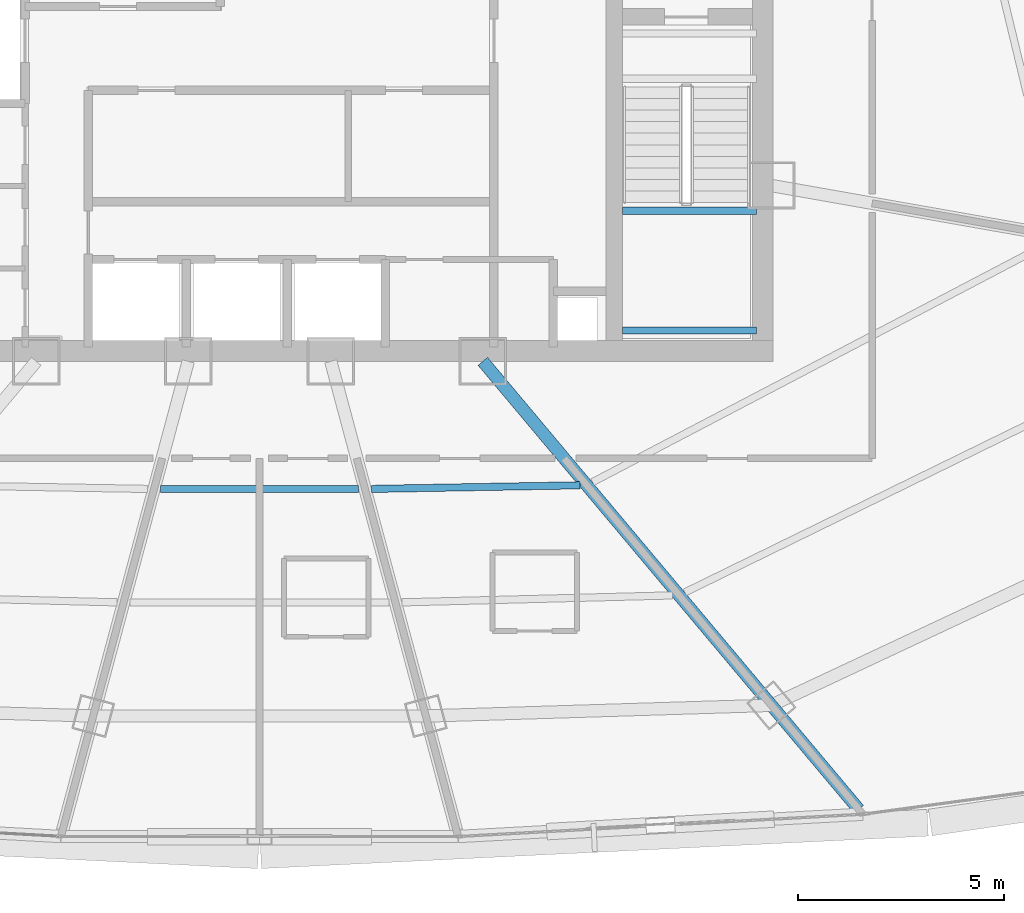
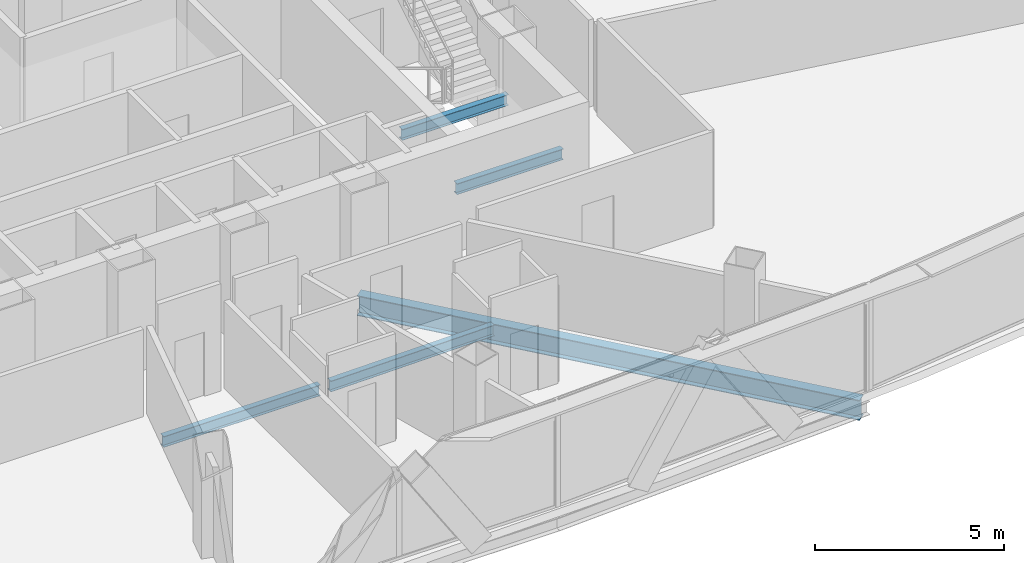
# One storey, part 11 of 34: 5 beams.
"""IFC4 building model written with IfcOpenShell, lengths in metres."""

from ifc_helpers import new_model, si_unit, direction, frame, origin, origin_2d, place, context, subcontext, project, spatial, i_section, extrude, source, transform, mapped, material, material_profile, profile_set, type_object, element, save


model = new_model("IFC4")

# Units and contexts
model_context = context("Model", 3, precision=1e-05, world=origin(), true_north=direction((0.0, 1.0)))
body_context = subcontext(model_context, "Body", "Model", "MODEL_VIEW")
ifc_project = project(units=[si_unit("LENGTHUNIT", "METRE"), si_unit("AREAUNIT", "SQUARE_METRE"), si_unit("VOLUMEUNIT", "CUBIC_METRE"), si_unit("PLANEANGLEUNIT", "RADIAN"), si_unit("MASSUNIT", "GRAM", prefix="KILO"), si_unit("THERMODYNAMICTEMPERATUREUNIT", "KELVIN"), si_unit("POWERUNIT", "WATT")], contexts=[model_context])

# Site, building, storey
site_placement = place(None, origin())
site = spatial("IfcSite", under=ifc_project, at=site_placement, CompositionType="ELEMENT")
building_placement = place(site_placement, origin())
building = spatial("IfcBuilding", under=site, at=building_placement, Name="Yunzhuo Pagoda Commons", CompositionType="ELEMENT")
storey_placement = place(building_placement, frame((0.0, 0.0, 229.610107421875)))
storey = spatial("IfcBuildingStorey", under=building, at=storey_placement, Name="L57", CompositionType="ELEMENT", Elevation=229.610107421875)

# Beams
ifc_material = material(Name="Structural steel Q355B", Category="steel")
ifc_material_profile_1 = material_profile(ifc_material, i_section(OverallWidth=0.175048828125, OverallDepth=0.35009765625, WebThickness=0.007080078125, FlangeThickness=0.010986328125, at=origin_2d()), Name="Structural steel Q355B")
ifc_profile_set_1 = profile_set([ifc_material_profile_1], Name="Structural steel Q355B")
beam_type_1 = type_object("IfcBeamType", Name="B-JS2 Joist HN 350x175x7x11", PredefinedType="JOIST", material=ifc_profile_set_1)
shared_shape_1 = source(origin(), body_context, "Body", "SweptSolid", [
    extrude(i_section(OverallWidth=0.175048828125, OverallDepth=0.35009765625, WebThickness=0.007080078125, FlangeThickness=0.010986328125, at=origin_2d()), origin(), (0.0, 0.0, 1.0), 3.25),
])
for number, where, z_axis, x_axis, name in (
    (1, (56.800048828125, 28.0, 1.489990234375), (1.0, 0.0, 0.0), (0.0, 1.0, 0.0), "L57 ST2 landing support beam 63A"),
    (2, (56.800048828125, 30.89990234375, 1.489990234375), (1.0, 0.0, 0.0), (0.0, 1.0, 0.0), "L57 ST2 landing support beam 63B"),
):
    element("IfcBeam", number, at=place(storey_placement, frame(where, z_axis=z_axis, x_axis=x_axis)), inside=storey, type_object=beam_type_1, Name=name, PredefinedType="JOIST", context=body_context, shape_type="MappedRepresentation", body=[
        mapped(shared_shape_1, transform((0.0, 0.0, 0.0), scale=1.0)),
    ])
ifc_material_profile_2 = material_profile(ifc_material, i_section(OverallWidth=0.300048828125, OverallDepth=0.64990234375, WebThickness=0.012939453125, FlangeThickness=0.02197265625, at=origin_2d()), Name="Structural steel Q355B")
ifc_profile_set_2 = profile_set([ifc_material_profile_2], Name="Structural steel Q355B")
beam_type_2 = type_object("IfcBeamType", Name="B-RG2 Beam HN 650x300x13x22", PredefinedType="BEAM", material=ifc_profile_set_2)
shared_shape_2 = source(origin(), body_context, "Body", "SweptSolid", [
    extrude(i_section(OverallWidth=0.300048828125, OverallDepth=0.64990234375, WebThickness=0.012939453125, FlangeThickness=0.02197265625, at=origin_2d()), origin(), (0.0, 0.0, 1.0), 14.174072265625),
])
beam_1_placement = place(storey_placement, frame((62.52294921875, 16.39208984375, -0.585205078125), z_axis=(-0.642786427105, 0.766045435421, 0.0), x_axis=(-0.766045435421, -0.642786427105, 0.0)))
element("IfcBeam", 3, at=beam_1_placement, inside=storey, type_object=beam_type_2, Name="L57 radial floor girder F1C4", PredefinedType="BEAM", context=body_context, shape_type="MappedRepresentation", body=[
    mapped(shared_shape_2, transform((0.0, 0.0, 0.0), scale=1.0)),
])
shared_shape_3 = source(origin(), body_context, "Body", "SweptSolid", [
    extrude(i_section(OverallWidth=0.175048828125, OverallDepth=0.35009765625, WebThickness=0.007080078125, FlangeThickness=0.010986328125, at=origin_2d()), origin(), (0.0, 0.0, 1.0), 5.0556640625),
])
beam_2_placement = place(storey_placement, frame((50.716552734375, 24.158203125, -0.43505859375), z_axis=(0.999848878561, 0.017384477, 0.0), x_axis=(-0.017384477, 0.999848878561, 0.0)))
element("IfcBeam", 4, at=beam_2_placement, inside=storey, type_object=beam_type_1, Name="L57 composite ring joist 1.3", PredefinedType="JOIST", context=body_context, shape_type="MappedRepresentation", body=[
    mapped(shared_shape_3, transform((0.0, 0.0, 0.0), scale=1.0)),
])
shared_shape_4 = source(origin(), body_context, "Body", "SweptSolid", [
    extrude(i_section(OverallWidth=0.175048828125, OverallDepth=0.35009765625, WebThickness=0.007080078125, FlangeThickness=0.010986328125, at=origin_2d()), origin(), (0.0, 0.0, 1.0), 4.796875),
])
beam_3_placement = place(storey_placement, frame((45.601806640625, 24.155517578125, -0.43505859375), z_axis=(1.0, 0.0, 0.0), x_axis=(0.0, 1.0, 0.0)))
element("IfcBeam", 5, at=beam_3_placement, inside=storey, type_object=beam_type_1, Name="L57 composite ring joist 1.2", PredefinedType="JOIST", context=body_context, shape_type="MappedRepresentation", body=[
    mapped(shared_shape_4, transform((0.0, 0.0, 0.0), scale=1.0)),
])

save(model, "model.ifc")
